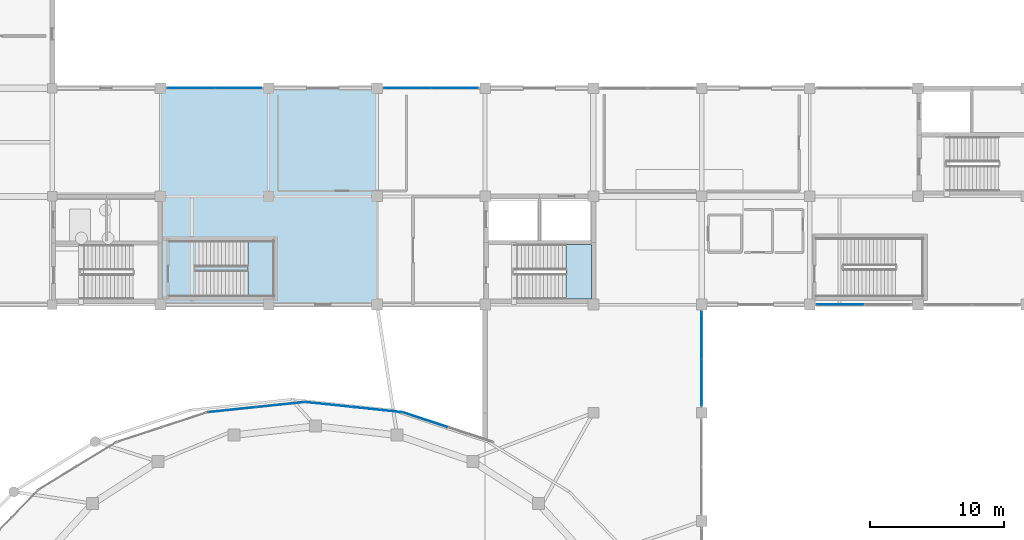
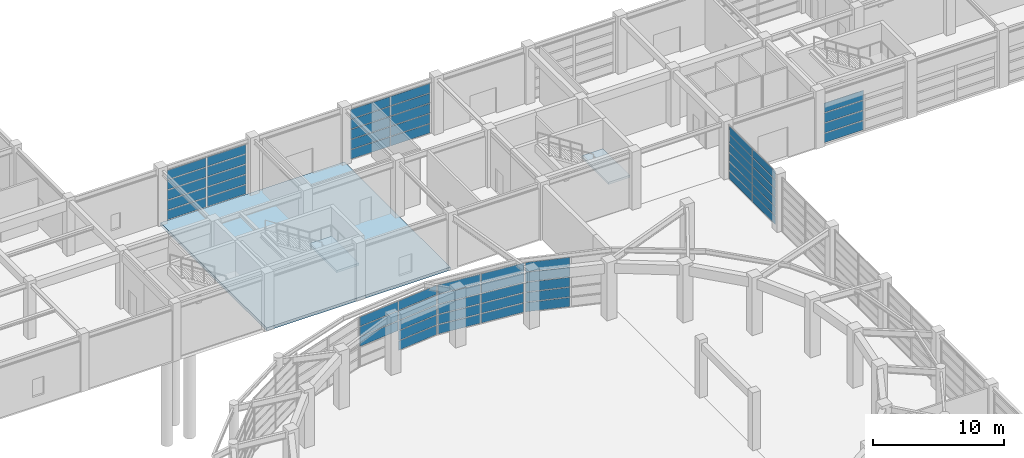
# One storey, part 32 of 52: 59 plates, 3 slabs, 9 elements without a shape of their own.
"""IFC4 building model written with IfcOpenShell, lengths in metres."""

from ifc_helpers import new_model, si_unit, direction, frame, origin, origin_2d, place, context, subcontext, project, spatial, polyline, rectangle, outline, extrude, material, layer, layer_set, type_object, element, aggregate, save


model = new_model("IFC4")

# Units and contexts
model_context = context("Model", 3, precision=1e-05, world=origin(), true_north=direction((0.0, 1.0)))
body_context = subcontext(model_context, "Body", "Model", "MODEL_VIEW")
ifc_project = project(units=[si_unit("LENGTHUNIT", "METRE"), si_unit("AREAUNIT", "SQUARE_METRE"), si_unit("VOLUMEUNIT", "CUBIC_METRE"), si_unit("PLANEANGLEUNIT", "RADIAN"), si_unit("MASSUNIT", "GRAM", prefix="KILO")], contexts=[model_context])

# Site, building, storey
site_placement = place(None, origin())
site = spatial("IfcSite", under=ifc_project, at=site_placement, CompositionType="ELEMENT")
building_placement = place(site_placement, origin())
building = spatial("IfcBuilding", under=site, at=building_placement, Name="Parian Resonance Hall", CompositionType="ELEMENT")
storey_placement = place(building_placement, origin())
storey = spatial("IfcBuildingStorey", under=building, at=storey_placement, Name="L00", CompositionType="ELEMENT", Elevation=0.0)

# Curtain wall, plates
ifc_material_1 = material(Name="Bronze-anodised aluminium frame", Category="aluminium")
curtain_wall_type_1 = type_object("IfcCurtainWallType", Name="CW-SYS-01", PredefinedType="NOTDEFINED", material=ifc_material_1)
curtain_wall_1_placement = place(storey_placement, origin())
curtain_wall_1 = element("IfcCurtainWall", 1, at=curtain_wall_1_placement, inside=storey, type_object=curtain_wall_type_1, Name="Grand foyer recessed base curtain wall 07", PredefinedType="NOTDEFINED")
ifc_material_2 = material(Name="Acoustic laminated double glazing", Category="glass")
ifc_layer_1 = layer(ifc_material_2, 0.02197265625)
ifc_layer_set_1 = layer_set([ifc_layer_1], Name="Acoustic laminated double glazing")
plate_type_1 = type_object("IfcPlateType", Name="CWP-IGU22", PredefinedType="CURTAIN_PANEL", material=ifc_layer_set_1)
plate_1_placement = place(storey_placement, frame((37.7421875, 65.029296875, 1.915283203125), z_axis=(0.0, 0.0, 1.0), x_axis=(0.994575935845, 0.104013017637, 0.0)))
plate_1 = element("IfcPlate", 2, at=plate_1_placement, type_object=plate_type_1, Name="CW-01 panel 1.3", PredefinedType="CURTAIN_PANEL", context=body_context, shape_type="SweptSolid", body=[
    extrude(rectangle(XDim=3.57177734375, YDim=0.02197265625, at=origin_2d()), origin(), (0.0, 0.0, 1.0), 0.87646484375),
])
plate_2_placement = place(storey_placement, frame((37.7421875, 65.029296875, 2.856689453125), z_axis=(0.0, 0.0, 1.0), x_axis=(0.994575935845, 0.104013017637, 0.0)))
plate_2 = element("IfcPlate", 3, at=plate_2_placement, type_object=plate_type_1, Name="CW-01 panel 1.4", PredefinedType="CURTAIN_PANEL", context=body_context, shape_type="SweptSolid", body=[
    extrude(rectangle(XDim=3.57177734375, YDim=0.02197265625, at=origin_2d()), origin(), (0.0, 0.0, 1.0), 0.87646484375),
])
plate_3_placement = place(storey_placement, frame((37.7421875, 65.029296875, 3.798095703125), z_axis=(0.0, 0.0, 1.0), x_axis=(0.994575935845, 0.104013017637, 0.0)))
plate_3 = element("IfcPlate", 4, at=plate_3_placement, type_object=plate_type_1, Name="CW-01 panel 1.5", PredefinedType="CURTAIN_PANEL", context=body_context, shape_type="SweptSolid", body=[
    extrude(rectangle(XDim=3.57177734375, YDim=0.02197265625, at=origin_2d()), origin(), (0.0, 0.0, 1.0), 0.85400390625),
])
plate_4_placement = place(storey_placement, frame((41.359130859375, 65.407470703125, 0.05712890625), z_axis=(0.0, 0.0, 1.0), x_axis=(0.994575935845, 0.104013017637, 0.0)))
plate_4 = element("IfcPlate", 5, at=plate_4_placement, type_object=plate_type_1, Name="CW-01 panel 2.1", PredefinedType="CURTAIN_PANEL", context=body_context, shape_type="SweptSolid", body=[
    extrude(rectangle(XDim=3.57177734375, YDim=0.02197265625, at=origin_2d()), origin(), (0.0, 0.0, 1.0), 0.851806640625),
])
plate_5_placement = place(storey_placement, frame((41.359130859375, 65.407470703125, 0.973876953125), z_axis=(0.0, 0.0, 1.0), x_axis=(0.994575935845, 0.104013017637, 0.0)))
plate_5 = element("IfcPlate", 6, at=plate_5_placement, type_object=plate_type_1, Name="CW-01 panel 2.2", PredefinedType="CURTAIN_PANEL", context=body_context, shape_type="SweptSolid", body=[
    extrude(rectangle(XDim=3.57177734375, YDim=0.02197265625, at=origin_2d()), origin(), (0.0, 0.0, 1.0), 0.87646484375),
])
plate_6_placement = place(storey_placement, frame((41.359130859375, 65.407470703125, 1.915283203125), z_axis=(0.0, 0.0, 1.0), x_axis=(0.994575935845, 0.104013017637, 0.0)))
plate_6 = element("IfcPlate", 7, at=plate_6_placement, type_object=plate_type_1, Name="CW-01 panel 2.3", PredefinedType="CURTAIN_PANEL", context=body_context, shape_type="SweptSolid", body=[
    extrude(rectangle(XDim=3.57177734375, YDim=0.02197265625, at=origin_2d()), origin(), (0.0, 0.0, 1.0), 0.87646484375),
])
plate_7_placement = place(storey_placement, frame((41.359130859375, 65.407470703125, 2.856689453125), z_axis=(0.0, 0.0, 1.0), x_axis=(0.994575935845, 0.104013017637, 0.0)))
plate_7 = element("IfcPlate", 8, at=plate_7_placement, type_object=plate_type_1, Name="CW-01 panel 2.4", PredefinedType="CURTAIN_PANEL", context=body_context, shape_type="SweptSolid", body=[
    extrude(rectangle(XDim=3.57177734375, YDim=0.02197265625, at=origin_2d()), origin(), (0.0, 0.0, 1.0), 0.87646484375),
])
plate_8_placement = place(storey_placement, frame((41.359130859375, 65.407470703125, 3.798095703125), z_axis=(0.0, 0.0, 1.0), x_axis=(0.994575935845, 0.104013017637, 0.0)))
plate_8 = element("IfcPlate", 9, at=plate_8_placement, type_object=plate_type_1, Name="CW-01 panel 2.5", PredefinedType="CURTAIN_PANEL", context=body_context, shape_type="SweptSolid", body=[
    extrude(rectangle(XDim=3.57177734375, YDim=0.02197265625, at=origin_2d()), origin(), (0.0, 0.0, 1.0), 0.85400390625),
])
aggregate(curtain_wall_1, [plate_1, plate_2, plate_3, plate_4, plate_5, plate_6, plate_7, plate_8])

ifc_material_3 = material(Name="Bronze-anodised aluminium frame", Category="aluminium")
curtain_wall_type_2 = type_object("IfcCurtainWallType", Name="CW-SYS-03", PredefinedType="NOTDEFINED", material=ifc_material_3)
curtain_wall_2_placement = place(storey_placement, origin())
curtain_wall_2 = element("IfcCurtainWall", 10, at=curtain_wall_2_placement, inside=storey, type_object=curtain_wall_type_2, Name="Curtain wall CW-L00-141", PredefinedType="NOTDEFINED")
plate_9_placement = place(storey_placement, frame((72.89990234375, 70.61865234375, 0.05712890625), z_axis=(0.0, 0.0, 1.0), x_axis=(0.0, -1.0, 0.0)))
plate_9 = element("IfcPlate", 11, at=plate_9_placement, type_object=plate_type_1, Name="CW-03 panel 1.1", PredefinedType="CURTAIN_PANEL", context=body_context, shape_type="SweptSolid", body=[
    extrude(rectangle(XDim=3.472412109375, YDim=0.02197265625, at=origin_2d()), origin(), (0.0, 0.0, 1.0), 0.752197265625),
])
plate_10_placement = place(storey_placement, frame((72.89990234375, 70.61865234375, 0.8740234375), z_axis=(0.0, 0.0, 1.0), x_axis=(0.0, -1.0, 0.0)))
plate_10 = element("IfcPlate", 12, at=plate_10_placement, type_object=plate_type_1, Name="CW-03 panel 1.2", PredefinedType="CURTAIN_PANEL", context=body_context, shape_type="SweptSolid", body=[
    extrude(rectangle(XDim=3.472412109375, YDim=0.02197265625, at=origin_2d()), origin(), (0.0, 0.0, 1.0), 0.776611328125),
])
plate_11_placement = place(storey_placement, frame((72.89990234375, 70.61865234375, 1.7158203125), z_axis=(0.0, 0.0, 1.0), x_axis=(0.0, -1.0, 0.0)))
plate_11 = element("IfcPlate", 13, at=plate_11_placement, type_object=plate_type_1, Name="CW-03 panel 1.3", PredefinedType="CURTAIN_PANEL", context=body_context, shape_type="SweptSolid", body=[
    extrude(rectangle(XDim=3.472412109375, YDim=0.02197265625, at=origin_2d()), origin(), (0.0, 0.0, 1.0), 0.776611328125),
])
plate_12_placement = place(storey_placement, frame((72.89990234375, 70.61865234375, 2.5576171875), z_axis=(0.0, 0.0, 1.0), x_axis=(0.0, -1.0, 0.0)))
plate_12 = element("IfcPlate", 14, at=plate_12_placement, type_object=plate_type_1, Name="CW-03 panel 1.4", PredefinedType="CURTAIN_PANEL", context=body_context, shape_type="SweptSolid", body=[
    extrude(rectangle(XDim=3.472412109375, YDim=0.02197265625, at=origin_2d()), origin(), (0.0, 0.0, 1.0), 0.776611328125),
])
plate_13_placement = place(storey_placement, frame((72.89990234375, 70.61865234375, 3.3994140625), z_axis=(0.0, 0.0, 1.0), x_axis=(0.0, -1.0, 0.0)))
plate_13 = element("IfcPlate", 15, at=plate_13_placement, type_object=plate_type_1, Name="CW-03 panel 1.5", PredefinedType="CURTAIN_PANEL", context=body_context, shape_type="SweptSolid", body=[
    extrude(rectangle(XDim=3.472412109375, YDim=0.02197265625, at=origin_2d()), origin(), (0.0, 0.0, 1.0), 0.776611328125),
])
plate_14_placement = place(storey_placement, frame((72.89990234375, 70.61865234375, 4.24072265625), z_axis=(0.0, 0.0, 1.0), x_axis=(0.0, -1.0, 0.0)))
plate_14 = element("IfcPlate", 16, at=plate_14_placement, type_object=plate_type_1, Name="CW-03 panel 1.6", PredefinedType="CURTAIN_PANEL", context=body_context, shape_type="SweptSolid", body=[
    extrude(rectangle(XDim=3.472412109375, YDim=0.02197265625, at=origin_2d()), origin(), (0.0, 0.0, 1.0), 0.754150390625),
])
plate_15_placement = place(storey_placement, frame((72.89990234375, 67.081298828125, 0.05712890625), z_axis=(0.0, 0.0, 1.0), x_axis=(0.0, -1.0, 0.0)))
plate_15 = element("IfcPlate", 17, at=plate_15_placement, type_object=plate_type_1, Name="CW-03 panel 2.1", PredefinedType="CURTAIN_PANEL", context=body_context, shape_type="SweptSolid", body=[
    extrude(rectangle(XDim=3.472412109375, YDim=0.02197265625, at=origin_2d()), origin(), (0.0, 0.0, 1.0), 0.752197265625),
])
plate_16_placement = place(storey_placement, frame((72.89990234375, 67.081298828125, 0.8740234375), z_axis=(0.0, 0.0, 1.0), x_axis=(0.0, -1.0, 0.0)))
plate_16 = element("IfcPlate", 18, at=plate_16_placement, type_object=plate_type_1, Name="CW-03 panel 2.2", PredefinedType="CURTAIN_PANEL", context=body_context, shape_type="SweptSolid", body=[
    extrude(rectangle(XDim=3.472412109375, YDim=0.02197265625, at=origin_2d()), origin(), (0.0, 0.0, 1.0), 0.776611328125),
])
plate_17_placement = place(storey_placement, frame((72.89990234375, 67.081298828125, 1.7158203125), z_axis=(0.0, 0.0, 1.0), x_axis=(0.0, -1.0, 0.0)))
plate_17 = element("IfcPlate", 19, at=plate_17_placement, type_object=plate_type_1, Name="CW-03 panel 2.3", PredefinedType="CURTAIN_PANEL", context=body_context, shape_type="SweptSolid", body=[
    extrude(rectangle(XDim=3.472412109375, YDim=0.02197265625, at=origin_2d()), origin(), (0.0, 0.0, 1.0), 0.776611328125),
])
plate_18_placement = place(storey_placement, frame((72.89990234375, 67.081298828125, 2.5576171875), z_axis=(0.0, 0.0, 1.0), x_axis=(0.0, -1.0, 0.0)))
plate_18 = element("IfcPlate", 20, at=plate_18_placement, type_object=plate_type_1, Name="CW-03 panel 2.4", PredefinedType="CURTAIN_PANEL", context=body_context, shape_type="SweptSolid", body=[
    extrude(rectangle(XDim=3.472412109375, YDim=0.02197265625, at=origin_2d()), origin(), (0.0, 0.0, 1.0), 0.776611328125),
])
plate_19_placement = place(storey_placement, frame((72.89990234375, 67.081298828125, 3.3994140625), z_axis=(0.0, 0.0, 1.0), x_axis=(0.0, -1.0, 0.0)))
plate_19 = element("IfcPlate", 21, at=plate_19_placement, type_object=plate_type_1, Name="CW-03 panel 2.5", PredefinedType="CURTAIN_PANEL", context=body_context, shape_type="SweptSolid", body=[
    extrude(rectangle(XDim=3.472412109375, YDim=0.02197265625, at=origin_2d()), origin(), (0.0, 0.0, 1.0), 0.776611328125),
])
plate_20_placement = place(storey_placement, frame((72.89990234375, 67.081298828125, 4.24072265625), z_axis=(0.0, 0.0, 1.0), x_axis=(0.0, -1.0, 0.0)))
plate_20 = element("IfcPlate", 22, at=plate_20_placement, type_object=plate_type_1, Name="CW-03 panel 2.6", PredefinedType="CURTAIN_PANEL", context=body_context, shape_type="SweptSolid", body=[
    extrude(rectangle(XDim=3.472412109375, YDim=0.02197265625, at=origin_2d()), origin(), (0.0, 0.0, 1.0), 0.754150390625),
])
aggregate(curtain_wall_2, [plate_9, plate_10, plate_11, plate_12, plate_13, plate_14, plate_15, plate_16, plate_17, plate_18, plate_19, plate_20])

ifc_material_4 = material(Name="Bronze-anodised aluminium frame", Category="aluminium")
curtain_wall_type_3 = type_object("IfcCurtainWallType", Name="CW-SYS-05", PredefinedType="NOTDEFINED", material=ifc_material_4)
curtain_wall_3_placement = place(storey_placement, origin())
curtain_wall_3 = element("IfcCurtainWall", 23, at=curtain_wall_3_placement, inside=storey, type_object=curtain_wall_type_3, Name="Grand foyer recessed base curtain wall 05", PredefinedType="NOTDEFINED")
ifc_material_5 = material(Name="Acoustic laminated double glazing", Category="glass")
ifc_layer_2 = layer(ifc_material_5, 0.031982421875)
ifc_layer_set_2 = layer_set([ifc_layer_2], Name="Acoustic laminated double glazing")
plate_type_2 = type_object("IfcPlateType", Name="CWP-IGU32", PredefinedType="CURTAIN_PANEL", material=ifc_layer_set_2)
plate_21_placement = place(storey_placement, frame((52.21435546875, 64.272216796875, 0.05712890625), z_axis=(0.0, 0.0, 1.0), x_axis=(0.94990795108, -0.312529813739, 0.0)))
plate_21 = element("IfcPlate", 24, at=plate_21_placement, type_object=plate_type_2, Name="CW-05 panel 1.1", PredefinedType="CURTAIN_PANEL", context=body_context, shape_type="SweptSolid", body=[
    extrude(rectangle(XDim=3.482421875, YDim=0.031982421875, at=origin_2d()), origin(), (0.0, 0.0, 1.0), 0.851806640625),
])
plate_22_placement = place(storey_placement, frame((52.21435546875, 64.272216796875, 0.973876953125), z_axis=(0.0, 0.0, 1.0), x_axis=(0.94990795108, -0.312529813739, 0.0)))
plate_22 = element("IfcPlate", 25, at=plate_22_placement, type_object=plate_type_2, Name="CW-05 panel 1.2", PredefinedType="CURTAIN_PANEL", context=body_context, shape_type="SweptSolid", body=[
    extrude(rectangle(XDim=3.482421875, YDim=0.031982421875, at=origin_2d()), origin(), (0.0, 0.0, 1.0), 0.87646484375),
])
plate_23_placement = place(storey_placement, frame((52.21435546875, 64.272216796875, 1.915283203125), z_axis=(0.0, 0.0, 1.0), x_axis=(0.94990795108, -0.312529813739, 0.0)))
plate_23 = element("IfcPlate", 26, at=plate_23_placement, type_object=plate_type_2, Name="CW-05 panel 1.3", PredefinedType="CURTAIN_PANEL", context=body_context, shape_type="SweptSolid", body=[
    extrude(rectangle(XDim=3.482421875, YDim=0.031982421875, at=origin_2d()), origin(), (0.0, 0.0, 1.0), 0.87646484375),
])
plate_24_placement = place(storey_placement, frame((52.21435546875, 64.272216796875, 2.856689453125), z_axis=(0.0, 0.0, 1.0), x_axis=(0.94990795108, -0.312529813739, 0.0)))
plate_24 = element("IfcPlate", 27, at=plate_24_placement, type_object=plate_type_2, Name="CW-05 panel 1.4", PredefinedType="CURTAIN_PANEL", context=body_context, shape_type="SweptSolid", body=[
    extrude(rectangle(XDim=3.482421875, YDim=0.031982421875, at=origin_2d()), origin(), (0.0, 0.0, 1.0), 0.87646484375),
])
plate_25_placement = place(storey_placement, frame((52.21435546875, 64.272216796875, 3.798095703125), z_axis=(0.0, 0.0, 1.0), x_axis=(0.94990795108, -0.312529813739, 0.0)))
plate_25 = element("IfcPlate", 28, at=plate_25_placement, type_object=plate_type_2, Name="CW-05 panel 1.5", PredefinedType="CURTAIN_PANEL", context=body_context, shape_type="SweptSolid", body=[
    extrude(rectangle(XDim=3.482421875, YDim=0.031982421875, at=origin_2d()), origin(), (0.0, 0.0, 1.0), 0.85400390625),
])
aggregate(curtain_wall_3, [plate_21, plate_22, plate_23, plate_24, plate_25])

curtain_wall_4_placement = place(storey_placement, origin())
curtain_wall_4 = element("IfcCurtainWall", 29, at=curtain_wall_4_placement, inside=storey, type_object=curtain_wall_type_3, Name="Curtain wall CW-L00-076", PredefinedType="NOTDEFINED")
plate_26_placement = place(storey_placement, frame((34.683837890625, 89.10009765625, 0.067138671875), z_axis=(0.0, 0.0, 1.0), x_axis=(1.0, 0.0, 0.0)))
plate_26 = element("IfcPlate", 30, at=plate_26_placement, type_object=plate_type_2, Name="CW-05 panel 1.1", PredefinedType="CURTAIN_PANEL", context=body_context, shape_type="SweptSolid", body=[
    extrude(rectangle(XDim=3.45751953125, YDim=0.031982421875, at=origin_2d()), origin(), (0.0, 0.0, 1.0), 0.8408203125),
])
plate_27_placement = place(storey_placement, frame((34.683837890625, 89.10009765625, 0.98291015625), z_axis=(0.0, 0.0, 1.0), x_axis=(1.0, 0.0, 0.0)))
plate_27 = element("IfcPlate", 31, at=plate_27_placement, type_object=plate_type_2, Name="CW-05 panel 1.2", PredefinedType="CURTAIN_PANEL", context=body_context, shape_type="SweptSolid", body=[
    extrude(rectangle(XDim=3.45751953125, YDim=0.031982421875, at=origin_2d()), origin(), (0.0, 0.0, 1.0), 0.870361328125),
])
plate_28_placement = place(storey_placement, frame((34.683837890625, 89.10009765625, 1.92822265625), z_axis=(0.0, 0.0, 1.0), x_axis=(1.0, 0.0, 0.0)))
plate_28 = element("IfcPlate", 32, at=plate_28_placement, type_object=plate_type_2, Name="CW-05 panel 1.3", PredefinedType="CURTAIN_PANEL", context=body_context, shape_type="SweptSolid", body=[
    extrude(rectangle(XDim=3.45751953125, YDim=0.031982421875, at=origin_2d()), origin(), (0.0, 0.0, 1.0), 0.870361328125),
])
plate_29_placement = place(storey_placement, frame((34.683837890625, 89.10009765625, 2.87353515625), z_axis=(0.0, 0.0, 1.0), x_axis=(1.0, 0.0, 0.0)))
plate_29 = element("IfcPlate", 33, at=plate_29_placement, type_object=plate_type_2, Name="CW-05 panel 1.4", PredefinedType="CURTAIN_PANEL", context=body_context, shape_type="SweptSolid", body=[
    extrude(rectangle(XDim=3.45751953125, YDim=0.031982421875, at=origin_2d()), origin(), (0.0, 0.0, 1.0), 0.870361328125),
])
plate_30_placement = place(storey_placement, frame((34.683837890625, 89.10009765625, 3.81884765625), z_axis=(0.0, 0.0, 1.0), x_axis=(1.0, 0.0, 0.0)))
plate_30 = element("IfcPlate", 34, at=plate_30_placement, type_object=plate_type_2, Name="CW-05 panel 1.5", PredefinedType="CURTAIN_PANEL", context=body_context, shape_type="SweptSolid", body=[
    extrude(rectangle(XDim=3.45751953125, YDim=0.031982421875, at=origin_2d()), origin(), (0.0, 0.0, 1.0), 0.843017578125),
])
plate_31_placement = place(storey_placement, frame((38.21630859375, 89.10009765625, 0.067138671875), z_axis=(0.0, 0.0, 1.0), x_axis=(1.0, 0.0, 0.0)))
plate_31 = element("IfcPlate", 35, at=plate_31_placement, type_object=plate_type_2, Name="CW-05 panel 2.1", PredefinedType="CURTAIN_PANEL", context=body_context, shape_type="SweptSolid", body=[
    extrude(rectangle(XDim=3.45751953125, YDim=0.031982421875, at=origin_2d()), origin(), (0.0, 0.0, 1.0), 0.8408203125),
])
plate_32_placement = place(storey_placement, frame((38.21630859375, 89.10009765625, 0.98291015625), z_axis=(0.0, 0.0, 1.0), x_axis=(1.0, 0.0, 0.0)))
plate_32 = element("IfcPlate", 36, at=plate_32_placement, type_object=plate_type_2, Name="CW-05 panel 2.2", PredefinedType="CURTAIN_PANEL", context=body_context, shape_type="SweptSolid", body=[
    extrude(rectangle(XDim=3.45751953125, YDim=0.031982421875, at=origin_2d()), origin(), (0.0, 0.0, 1.0), 0.870361328125),
])
plate_33_placement = place(storey_placement, frame((38.21630859375, 89.10009765625, 1.92822265625), z_axis=(0.0, 0.0, 1.0), x_axis=(1.0, 0.0, 0.0)))
plate_33 = element("IfcPlate", 37, at=plate_33_placement, type_object=plate_type_2, Name="CW-05 panel 2.3", PredefinedType="CURTAIN_PANEL", context=body_context, shape_type="SweptSolid", body=[
    extrude(rectangle(XDim=3.45751953125, YDim=0.031982421875, at=origin_2d()), origin(), (0.0, 0.0, 1.0), 0.870361328125),
])
plate_34_placement = place(storey_placement, frame((38.21630859375, 89.10009765625, 2.87353515625), z_axis=(0.0, 0.0, 1.0), x_axis=(1.0, 0.0, 0.0)))
plate_34 = element("IfcPlate", 38, at=plate_34_placement, type_object=plate_type_2, Name="CW-05 panel 2.4", PredefinedType="CURTAIN_PANEL", context=body_context, shape_type="SweptSolid", body=[
    extrude(rectangle(XDim=3.45751953125, YDim=0.031982421875, at=origin_2d()), origin(), (0.0, 0.0, 1.0), 0.870361328125),
])
plate_35_placement = place(storey_placement, frame((38.21630859375, 89.10009765625, 3.81884765625), z_axis=(0.0, 0.0, 1.0), x_axis=(1.0, 0.0, 0.0)))
plate_35 = element("IfcPlate", 39, at=plate_35_placement, type_object=plate_type_2, Name="CW-05 panel 2.5", PredefinedType="CURTAIN_PANEL", context=body_context, shape_type="SweptSolid", body=[
    extrude(rectangle(XDim=3.45751953125, YDim=0.031982421875, at=origin_2d()), origin(), (0.0, 0.0, 1.0), 0.843017578125),
])
aggregate(curtain_wall_4, [plate_26, plate_27, plate_28, plate_29, plate_30, plate_31, plate_32, plate_33, plate_34, plate_35])

ifc_material_6 = material(Name="Bronze-anodised aluminium frame", Category="aluminium")
curtain_wall_type_4 = type_object("IfcCurtainWallType", Name="CW-SYS-06", PredefinedType="NOTDEFINED", material=ifc_material_6)
curtain_wall_5_placement = place(storey_placement, origin())
curtain_wall_5 = element("IfcCurtainWall", 40, at=curtain_wall_5_placement, inside=storey, type_object=curtain_wall_type_4, Name="Grand foyer recessed base curtain wall 06", PredefinedType="NOTDEFINED")
ifc_material_7 = material(Name="Acoustic laminated double glazing", Category="glass")
ifc_layer_3 = layer(ifc_material_7, 0.0419921875)
ifc_layer_set_3 = layer_set([ifc_layer_3], Name="Acoustic laminated double glazing")
plate_type_3 = type_object("IfcPlateType", Name="CWP-IGU42", PredefinedType="CURTAIN_PANEL", material=ifc_layer_set_3)
plate_36_placement = place(storey_placement, frame((45.043212890625, 65.4072265625, 0.06689453125), z_axis=(0.0, 0.0, 1.0), x_axis=(0.994575935845, -0.104013017637, 0.0)))
plate_36 = element("IfcPlate", 41, at=plate_36_placement, type_object=plate_type_3, Name="CW-06 panel 1.1", PredefinedType="CURTAIN_PANEL", context=body_context, shape_type="SweptSolid", body=[
    extrude(rectangle(XDim=3.556640625, YDim=0.0419921875, at=origin_2d()), origin(), (0.0, 0.0, 1.0), 0.8369140625),
])
plate_37_placement = place(storey_placement, frame((45.043212890625, 65.4072265625, 0.97900390625), z_axis=(0.0, 0.0, 1.0), x_axis=(0.994575935845, -0.104013017637, 0.0)))
plate_37 = element("IfcPlate", 42, at=plate_37_placement, type_object=plate_type_3, Name="CW-06 panel 1.2", PredefinedType="CURTAIN_PANEL", context=body_context, shape_type="SweptSolid", body=[
    extrude(rectangle(XDim=3.556640625, YDim=0.0419921875, at=origin_2d()), origin(), (0.0, 0.0, 1.0), 0.866455078125),
])
plate_38_placement = place(storey_placement, frame((45.043212890625, 65.4072265625, 1.92041015625), z_axis=(0.0, 0.0, 1.0), x_axis=(0.994575935845, -0.104013017637, 0.0)))
plate_38 = element("IfcPlate", 43, at=plate_38_placement, type_object=plate_type_3, Name="CW-06 panel 1.3", PredefinedType="CURTAIN_PANEL", context=body_context, shape_type="SweptSolid", body=[
    extrude(rectangle(XDim=3.556640625, YDim=0.0419921875, at=origin_2d()), origin(), (0.0, 0.0, 1.0), 0.866455078125),
])
plate_39_placement = place(storey_placement, frame((45.043212890625, 65.4072265625, 2.86181640625), z_axis=(0.0, 0.0, 1.0), x_axis=(0.994575935845, -0.104013017637, 0.0)))
plate_39 = element("IfcPlate", 44, at=plate_39_placement, type_object=plate_type_3, Name="CW-06 panel 1.4", PredefinedType="CURTAIN_PANEL", context=body_context, shape_type="SweptSolid", body=[
    extrude(rectangle(XDim=3.556640625, YDim=0.0419921875, at=origin_2d()), origin(), (0.0, 0.0, 1.0), 0.866455078125),
])
plate_40_placement = place(storey_placement, frame((45.043212890625, 65.4072265625, 3.80322265625), z_axis=(0.0, 0.0, 1.0), x_axis=(0.994575935845, -0.104013017637, 0.0)))
plate_40 = element("IfcPlate", 45, at=plate_40_placement, type_object=plate_type_3, Name="CW-06 panel 1.5", PredefinedType="CURTAIN_PANEL", context=body_context, shape_type="SweptSolid", body=[
    extrude(rectangle(XDim=3.556640625, YDim=0.0419921875, at=origin_2d()), origin(), (0.0, 0.0, 1.0), 0.8388671875),
])
plate_41_placement = place(storey_placement, frame((48.6552734375, 65.029541015625, 0.06689453125), z_axis=(0.0, 0.0, 1.0), x_axis=(0.994575935845, -0.104013017637, 0.0)))
plate_41 = element("IfcPlate", 46, at=plate_41_placement, type_object=plate_type_3, Name="CW-06 panel 2.1", PredefinedType="CURTAIN_PANEL", context=body_context, shape_type="SweptSolid", body=[
    extrude(rectangle(XDim=3.556640625, YDim=0.0419921875, at=origin_2d()), origin(), (0.0, 0.0, 1.0), 0.8369140625),
])
plate_42_placement = place(storey_placement, frame((48.6552734375, 65.029541015625, 0.97900390625), z_axis=(0.0, 0.0, 1.0), x_axis=(0.994575935845, -0.104013017637, 0.0)))
plate_42 = element("IfcPlate", 47, at=plate_42_placement, type_object=plate_type_3, Name="CW-06 panel 2.2", PredefinedType="CURTAIN_PANEL", context=body_context, shape_type="SweptSolid", body=[
    extrude(rectangle(XDim=3.556640625, YDim=0.0419921875, at=origin_2d()), origin(), (0.0, 0.0, 1.0), 0.866455078125),
])
plate_43_placement = place(storey_placement, frame((48.6552734375, 65.029541015625, 1.92041015625), z_axis=(0.0, 0.0, 1.0), x_axis=(0.994575935845, -0.104013017637, 0.0)))
plate_43 = element("IfcPlate", 48, at=plate_43_placement, type_object=plate_type_3, Name="CW-06 panel 2.3", PredefinedType="CURTAIN_PANEL", context=body_context, shape_type="SweptSolid", body=[
    extrude(rectangle(XDim=3.556640625, YDim=0.0419921875, at=origin_2d()), origin(), (0.0, 0.0, 1.0), 0.866455078125),
])
plate_44_placement = place(storey_placement, frame((48.6552734375, 65.029541015625, 2.86181640625), z_axis=(0.0, 0.0, 1.0), x_axis=(0.994575935845, -0.104013017637, 0.0)))
plate_44 = element("IfcPlate", 49, at=plate_44_placement, type_object=plate_type_3, Name="CW-06 panel 2.4", PredefinedType="CURTAIN_PANEL", context=body_context, shape_type="SweptSolid", body=[
    extrude(rectangle(XDim=3.556640625, YDim=0.0419921875, at=origin_2d()), origin(), (0.0, 0.0, 1.0), 0.866455078125),
])
plate_45_placement = place(storey_placement, frame((48.6552734375, 65.029541015625, 3.80322265625), z_axis=(0.0, 0.0, 1.0), x_axis=(0.994575935845, -0.104013017637, 0.0)))
plate_45 = element("IfcPlate", 50, at=plate_45_placement, type_object=plate_type_3, Name="CW-06 panel 2.5", PredefinedType="CURTAIN_PANEL", context=body_context, shape_type="SweptSolid", body=[
    extrude(rectangle(XDim=3.556640625, YDim=0.0419921875, at=origin_2d()), origin(), (0.0, 0.0, 1.0), 0.8388671875),
])
aggregate(curtain_wall_5, [plate_36, plate_37, plate_38, plate_39, plate_40, plate_41, plate_42, plate_43, plate_44, plate_45])

curtain_wall_6_placement = place(storey_placement, origin())
curtain_wall_6 = element("IfcCurtainWall", 51, at=curtain_wall_6_placement, inside=storey, type_object=curtain_wall_type_1, Name="Curtain wall CW-L00-083", PredefinedType="NOTDEFINED")
plate_46_placement = place(storey_placement, frame((50.88134765625, 89.10009765625, 0.056884765625), z_axis=(0.0, 0.0, 1.0), x_axis=(1.0, 0.0, 0.0)))
plate_46 = element("IfcPlate", 52, at=plate_46_placement, type_object=plate_type_3, Name="CW-01 panel 1.1", PredefinedType="CURTAIN_PANEL", context=body_context, shape_type="SweptSolid", body=[
    extrude(rectangle(XDim=3.472412109375, YDim=0.0419921875, at=origin_2d()), origin(), (0.0, 0.0, 1.0), 0.85595703125),
])
plate_47_placement = place(storey_placement, frame((50.88134765625, 89.10009765625, 0.97802734375), z_axis=(0.0, 0.0, 1.0), x_axis=(1.0, 0.0, 0.0)))
plate_47 = element("IfcPlate", 53, at=plate_47_placement, type_object=plate_type_3, Name="CW-01 panel 1.2", PredefinedType="CURTAIN_PANEL", context=body_context, shape_type="SweptSolid", body=[
    extrude(rectangle(XDim=3.472412109375, YDim=0.0419921875, at=origin_2d()), origin(), (0.0, 0.0, 1.0), 0.88037109375),
])
plate_48_placement = place(storey_placement, frame((50.88134765625, 89.10009765625, 1.92333984375), z_axis=(0.0, 0.0, 1.0), x_axis=(1.0, 0.0, 0.0)))
plate_48 = element("IfcPlate", 54, at=plate_48_placement, type_object=plate_type_3, Name="CW-01 panel 1.3", PredefinedType="CURTAIN_PANEL", context=body_context, shape_type="SweptSolid", body=[
    extrude(rectangle(XDim=3.472412109375, YDim=0.0419921875, at=origin_2d()), origin(), (0.0, 0.0, 1.0), 0.88037109375),
])
plate_49_placement = place(storey_placement, frame((50.88134765625, 89.10009765625, 2.86865234375), z_axis=(0.0, 0.0, 1.0), x_axis=(1.0, 0.0, 0.0)))
plate_49 = element("IfcPlate", 55, at=plate_49_placement, type_object=plate_type_3, Name="CW-01 panel 1.4", PredefinedType="CURTAIN_PANEL", context=body_context, shape_type="SweptSolid", body=[
    extrude(rectangle(XDim=3.472412109375, YDim=0.0419921875, at=origin_2d()), origin(), (0.0, 0.0, 1.0), 0.88037109375),
])
plate_50_placement = place(storey_placement, frame((50.88134765625, 89.10009765625, 3.814208984375), z_axis=(0.0, 0.0, 1.0), x_axis=(1.0, 0.0, 0.0)))
plate_50 = element("IfcPlate", 56, at=plate_50_placement, type_object=plate_type_3, Name="CW-01 panel 1.5", PredefinedType="CURTAIN_PANEL", context=body_context, shape_type="SweptSolid", body=[
    extrude(rectangle(XDim=3.472412109375, YDim=0.0419921875, at=origin_2d()), origin(), (0.0, 0.0, 1.0), 0.85791015625),
])
plate_51_placement = place(storey_placement, frame((54.418701171875, 89.10009765625, 0.056884765625), z_axis=(0.0, 0.0, 1.0), x_axis=(1.0, 0.0, 0.0)))
plate_51 = element("IfcPlate", 57, at=plate_51_placement, type_object=plate_type_3, Name="CW-01 panel 2.1", PredefinedType="CURTAIN_PANEL", context=body_context, shape_type="SweptSolid", body=[
    extrude(rectangle(XDim=3.472412109375, YDim=0.0419921875, at=origin_2d()), origin(), (0.0, 0.0, 1.0), 0.85595703125),
])
plate_52_placement = place(storey_placement, frame((54.418701171875, 89.10009765625, 0.97802734375), z_axis=(0.0, 0.0, 1.0), x_axis=(1.0, 0.0, 0.0)))
plate_52 = element("IfcPlate", 58, at=plate_52_placement, type_object=plate_type_3, Name="CW-01 panel 2.2", PredefinedType="CURTAIN_PANEL", context=body_context, shape_type="SweptSolid", body=[
    extrude(rectangle(XDim=3.472412109375, YDim=0.0419921875, at=origin_2d()), origin(), (0.0, 0.0, 1.0), 0.88037109375),
])
plate_53_placement = place(storey_placement, frame((54.418701171875, 89.10009765625, 1.92333984375), z_axis=(0.0, 0.0, 1.0), x_axis=(1.0, 0.0, 0.0)))
plate_53 = element("IfcPlate", 59, at=plate_53_placement, type_object=plate_type_3, Name="CW-01 panel 2.3", PredefinedType="CURTAIN_PANEL", context=body_context, shape_type="SweptSolid", body=[
    extrude(rectangle(XDim=3.472412109375, YDim=0.0419921875, at=origin_2d()), origin(), (0.0, 0.0, 1.0), 0.88037109375),
])
plate_54_placement = place(storey_placement, frame((54.418701171875, 89.10009765625, 2.86865234375), z_axis=(0.0, 0.0, 1.0), x_axis=(1.0, 0.0, 0.0)))
plate_54 = element("IfcPlate", 60, at=plate_54_placement, type_object=plate_type_3, Name="CW-01 panel 2.4", PredefinedType="CURTAIN_PANEL", context=body_context, shape_type="SweptSolid", body=[
    extrude(rectangle(XDim=3.472412109375, YDim=0.0419921875, at=origin_2d()), origin(), (0.0, 0.0, 1.0), 0.88037109375),
])
plate_55_placement = place(storey_placement, frame((54.418701171875, 89.10009765625, 3.814208984375), z_axis=(0.0, 0.0, 1.0), x_axis=(1.0, 0.0, 0.0)))
plate_55 = element("IfcPlate", 61, at=plate_55_placement, type_object=plate_type_3, Name="CW-01 panel 2.5", PredefinedType="CURTAIN_PANEL", context=body_context, shape_type="SweptSolid", body=[
    extrude(rectangle(XDim=3.472412109375, YDim=0.0419921875, at=origin_2d()), origin(), (0.0, 0.0, 1.0), 0.85791015625),
])
aggregate(curtain_wall_6, [plate_46, plate_47, plate_48, plate_49, plate_50, plate_51, plate_52, plate_53, plate_54, plate_55])

curtain_wall_7_placement = place(storey_placement, origin())
curtain_wall_7 = element("IfcCurtainWall", 62, at=curtain_wall_7_placement, inside=storey, type_object=curtain_wall_type_3, Name="Curtain wall CW-L00-110", PredefinedType="NOTDEFINED")
plate_56_placement = place(storey_placement, frame((83.28369140625, 72.89990234375, 0.067138671875), z_axis=(0.0, 0.0, 1.0), x_axis=(-1.0, 0.0, 0.0)))
plate_56 = element("IfcPlate", 63, at=plate_56_placement, type_object=plate_type_3, Name="CW-05 panel 2.1", PredefinedType="CURTAIN_PANEL", context=body_context, shape_type="SweptSolid", body=[
    extrude(rectangle(XDim=3.45751953125, YDim=0.0419921875, at=origin_2d()), origin(), (0.0, 0.0, 1.0), 0.8408203125),
])
plate_57_placement = place(storey_placement, frame((83.28369140625, 72.89990234375, 0.98291015625), z_axis=(0.0, 0.0, 1.0), x_axis=(-1.0, 0.0, 0.0)))
plate_57 = element("IfcPlate", 64, at=plate_57_placement, type_object=plate_type_3, Name="CW-05 panel 2.2", PredefinedType="CURTAIN_PANEL", context=body_context, shape_type="SweptSolid", body=[
    extrude(rectangle(XDim=3.45751953125, YDim=0.0419921875, at=origin_2d()), origin(), (0.0, 0.0, 1.0), 0.870361328125),
])
plate_58_placement = place(storey_placement, frame((83.28369140625, 72.89990234375, 1.92822265625), z_axis=(0.0, 0.0, 1.0), x_axis=(-1.0, 0.0, 0.0)))
plate_58 = element("IfcPlate", 65, at=plate_58_placement, type_object=plate_type_3, Name="CW-05 panel 2.3", PredefinedType="CURTAIN_PANEL", context=body_context, shape_type="SweptSolid", body=[
    extrude(rectangle(XDim=3.45751953125, YDim=0.0419921875, at=origin_2d()), origin(), (0.0, 0.0, 1.0), 0.870361328125),
])
plate_59_placement = place(storey_placement, frame((83.28369140625, 72.89990234375, 2.87353515625), z_axis=(0.0, 0.0, 1.0), x_axis=(-1.0, 0.0, 0.0)))
plate_59 = element("IfcPlate", 66, at=plate_59_placement, type_object=plate_type_3, Name="CW-05 panel 2.4", PredefinedType="CURTAIN_PANEL", context=body_context, shape_type="SweptSolid", body=[
    extrude(rectangle(XDim=3.45751953125, YDim=0.0419921875, at=origin_2d()), origin(), (0.0, 0.0, 1.0), 0.870361328125),
])
aggregate(curtain_wall_7, [plate_56, plate_57, plate_58, plate_59])

# Slab
ifc_material_8 = material(Name="Concrete C35/45", Category="concrete")
ifc_layer_4 = layer(ifc_material_8, 0.280029296875)
ifc_layer_set_4 = layer_set([ifc_layer_4], Name="Concrete C35/45")
slab_type_1 = type_object("IfcSlabType", Name="SLB-GND-280", PredefinedType="BASESLAB", material=ifc_layer_set_4)
slab_1_placement = place(storey_placement, frame((0.0, 0.0, -0.280029296875)))
element("IfcSlab", 67, at=slab_1_placement, inside=storey, type_object=slab_type_1, Name="Cloister west ground slab", PredefinedType="BASESLAB", context=body_context, shape_type="SweptSolid", body=[
    extrude(outline(polyline([(32.39990234375, 72.89990234375), (48.60009765625, 72.89990234375), (48.60009765625, 89.10009765625), (32.39990234375, 89.10009765625), (32.39990234375, 72.89990234375)])), origin(), (0.0, 0.0, 1.0), 0.280029296875),
])

# Stair, slab
ifc_material_9 = material(Name="Concrete C40/50", Category="concrete")
stair_type_1 = type_object("IfcStairType", Name="STAIR-FOYER-1550", PredefinedType="HALF_TURN_STAIR", material=ifc_material_9)
stair_1_placement = place(storey_placement, origin())
stair_1 = element("IfcStair", 68, at=stair_1_placement, inside=storey, type_object=stair_type_1, Name="L00 ST-07", PredefinedType="HALF_TURN_STAIR")
ifc_material_10 = material(Name="Concrete C40/50", Category="concrete")
ifc_layer_5 = layer(ifc_material_10, 0.179931640625)
ifc_layer_set_5 = layer_set([ifc_layer_5], Name="Concrete C40/50")
slab_type_2 = type_object("IfcSlabType", Name="SLB-LANDING-180", PredefinedType="LANDING", material=ifc_layer_set_5)
slab_2_placement = place(storey_placement, frame((0.0, 0.0, 2.5)))
slab_2 = element("IfcSlab", 69, at=slab_2_placement, type_object=slab_type_2, Name="ST-07 landing 1", PredefinedType="LANDING", context=body_context, shape_type="SweptSolid", body=[
    extrude(outline(polyline([(38.929931640625, 73.5), (40.889892578125, 73.5), (40.889892578125, 77.679931640625), (38.929931640625, 77.679931640625), (38.929931640625, 73.5)])), origin(), (0.0, 0.0, 1.0), 0.199951171875),
])
aggregate(stair_1, [slab_2])

ifc_material_11 = material(Name="Concrete C40/50", Category="concrete")
stair_type_2 = type_object("IfcStairType", Name="STAIR-CORE-1850", PredefinedType="HALF_TURN_STAIR", material=ifc_material_11)
stair_2_placement = place(storey_placement, origin())
stair_2 = element("IfcStair", 70, at=stair_2_placement, inside=storey, type_object=stair_type_2, Name="L00 ST-01", PredefinedType="HALF_TURN_STAIR")
ifc_material_12 = material(Name="Concrete C40/50", Category="concrete")
ifc_layer_6 = layer(ifc_material_12, 0.199951171875)
ifc_layer_set_6 = layer_set([ifc_layer_6], Name="Concrete C40/50")
slab_type_3 = type_object("IfcSlabType", Name="SLB-LANDING-200", PredefinedType="LANDING", material=ifc_layer_set_6)
slab_3_placement = place(storey_placement, frame((0.0, 0.0, 2.5)))
slab_3 = element("IfcSlab", 71, at=slab_3_placement, type_object=slab_type_3, Name="ST-01 landing 1", PredefinedType="LANDING", context=body_context, shape_type="SweptSolid", body=[
    extrude(outline(polyline([(62.760009765625, 73.300048828125), (64.659912109375, 73.300048828125), (64.659912109375, 77.39990234375), (62.760009765625, 77.39990234375), (62.760009765625, 73.300048828125)])), origin(), (0.0, 0.0, 1.0), 0.199951171875),
])
aggregate(stair_2, [slab_3])

save(model, "model.ifc")
